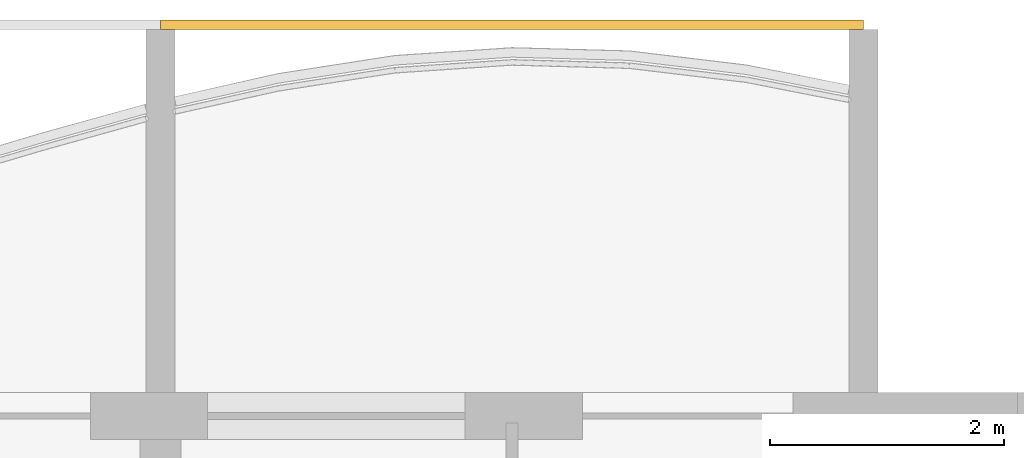
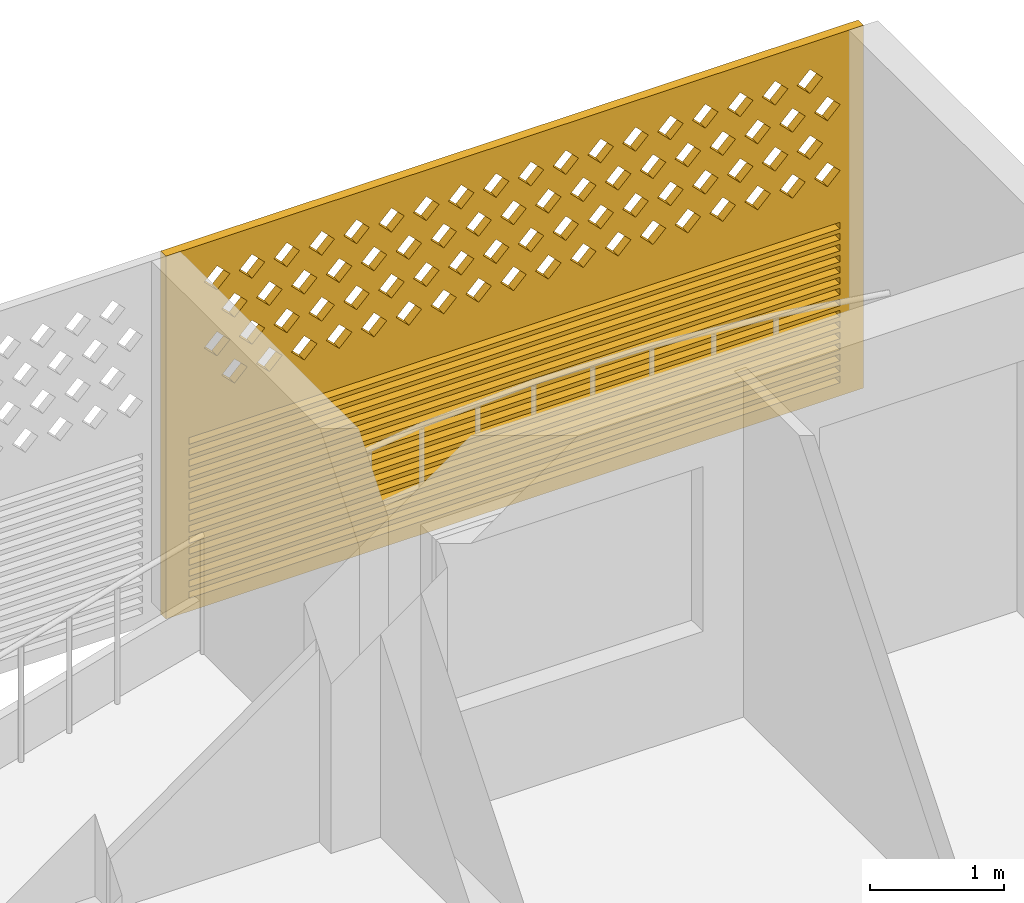
# One storey, part 30 of 30: 1 covering.
"""IFC4 building model written with IfcOpenShell, lengths in metres."""

from ifc_helpers import new_model, si_unit, direction, frame, origin, place, context, subcontext, project, spatial, polyline, outline, extrude, source, transform, mapped, material, material_profile, profile_set, type_object, element, save


model = new_model("IFC4")

# Units and contexts
model_context = context("Model", 3, precision=1e-05, world=origin(), true_north=direction((0.0, 1.0)))
body_context = subcontext(model_context, "Body", "Model", "MODEL_VIEW")
ifc_project = project(units=[si_unit("LENGTHUNIT", "METRE"), si_unit("AREAUNIT", "SQUARE_METRE"), si_unit("VOLUMEUNIT", "CUBIC_METRE"), si_unit("PLANEANGLEUNIT", "RADIAN"), si_unit("MASSUNIT", "GRAM", prefix="KILO")], contexts=[model_context])

# Site, building, storey
site_placement = place(None, origin())
site = spatial("IfcSite", under=ifc_project, at=site_placement, CompositionType="ELEMENT")
building_placement = place(site_placement, origin())
building = spatial("IfcBuilding", under=site, at=building_placement, Name="Poui Terraces", CompositionType="ELEMENT")
storey_placement = place(building_placement, frame((0.0, 0.0, 99.300048828125)))
storey = spatial("IfcBuildingStorey", under=building, at=storey_placement, Name="L27", CompositionType="ELEMENT", Elevation=99.300048828125)

# Covering
ifc_material = material(Name="Terracotta screen", Category="masonry")
ifc_material_profile = material_profile(ifc_material, outline(polyline([(-3.0, -1.64990234375), (3.0, -1.64990234375), (3.0, 1.64990234375), (-3.0, 1.64990234375), (-3.0, -1.64990234375)]), holes=[polyline([(-2.800048828125, 0.39990234375), (-2.68994140625, 0.2900390625), (-2.580078125, 0.39990234375), (-2.68994140625, 0.510009765625), (-2.800048828125, 0.39990234375)]), polyline([(-2.5, 0.39990234375), (-2.389892578125, 0.2900390625), (-2.280029296875, 0.39990234375), (-2.389892578125, 0.510009765625), (-2.5, 0.39990234375)]), polyline([(-2.199951171875, 0.39990234375), (-2.090087890625, 0.2900390625), (-1.97998046875, 0.39990234375), (-2.090087890625, 0.510009765625), (-2.199951171875, 0.39990234375)]), polyline([(-1.89990234375, 0.39990234375), (-1.7900390625, 0.2900390625), (-1.679931640625, 0.39990234375), (-1.7900390625, 0.510009765625), (-1.89990234375, 0.39990234375)]), polyline([(-1.60009765625, 0.39990234375), (-1.489990234375, 0.2900390625), (-1.3798828125, 0.39990234375), (-1.489990234375, 0.510009765625), (-1.60009765625, 0.39990234375)]), polyline([(-1.300048828125, 0.39990234375), (-1.18994140625, 0.2900390625), (-1.080078125, 0.39990234375), (-1.18994140625, 0.510009765625), (-1.300048828125, 0.39990234375)]), polyline([(-1.0, 0.39990234375), (-0.889892578125, 0.2900390625), (-0.780029296875, 0.39990234375), (-0.889892578125, 0.510009765625), (-1.0, 0.39990234375)]), polyline([(-0.699951171875, 0.39990234375), (-0.590087890625, 0.2900390625), (-0.47998046875, 0.39990234375), (-0.590087890625, 0.510009765625), (-0.699951171875, 0.39990234375)]), polyline([(-0.39990234375, 0.39990234375), (-0.2900390625, 0.2900390625), (-0.179931640625, 0.39990234375), (-0.2900390625, 0.510009765625), (-0.39990234375, 0.39990234375)]), polyline([(-0.10009765625, 0.39990234375), (0.010009765625, 0.2900390625), (0.1201171875, 0.39990234375), (0.010009765625, 0.510009765625), (-0.10009765625, 0.39990234375)]), polyline([(0.199951171875, 0.39990234375), (0.31005859375, 0.2900390625), (0.419921875, 0.39990234375), (0.31005859375, 0.510009765625), (0.199951171875, 0.39990234375)]), polyline([(0.5, 0.39990234375), (0.610107421875, 0.2900390625), (0.719970703125, 0.39990234375), (0.610107421875, 0.510009765625), (0.5, 0.39990234375)]), polyline([(0.800048828125, 0.39990234375), (0.909912109375, 0.2900390625), (1.02001953125, 0.39990234375), (0.909912109375, 0.510009765625), (0.800048828125, 0.39990234375)]), polyline([(1.10009765625, 0.39990234375), (1.2099609375, 0.2900390625), (1.320068359375, 0.39990234375), (1.2099609375, 0.510009765625), (1.10009765625, 0.39990234375)]), polyline([(1.39990234375, 0.39990234375), (1.510009765625, 0.2900390625), (1.6201171875, 0.39990234375), (1.510009765625, 0.510009765625), (1.39990234375, 0.39990234375)]), polyline([(1.699951171875, 0.39990234375), (1.81005859375, 0.2900390625), (1.919921875, 0.39990234375), (1.81005859375, 0.510009765625), (1.699951171875, 0.39990234375)]), polyline([(2.0, 0.39990234375), (2.110107421875, 0.2900390625), (2.219970703125, 0.39990234375), (2.110107421875, 0.510009765625), (2.0, 0.39990234375)]), polyline([(2.300048828125, 0.39990234375), (2.409912109375, 0.2900390625), (2.52001953125, 0.39990234375), (2.409912109375, 0.510009765625), (2.300048828125, 0.39990234375)]), polyline([(-2.64990234375, 0.699951171875), (-2.5400390625, 0.590087890625), (-2.429931640625, 0.699951171875), (-2.5400390625, 0.81005859375), (-2.64990234375, 0.699951171875)]), polyline([(-2.35009765625, 0.699951171875), (-2.239990234375, 0.590087890625), (-2.1298828125, 0.699951171875), (-2.239990234375, 0.81005859375), (-2.35009765625, 0.699951171875)]), polyline([(-2.050048828125, 0.699951171875), (-1.93994140625, 0.590087890625), (-1.830078125, 0.699951171875), (-1.93994140625, 0.81005859375), (-2.050048828125, 0.699951171875)]), polyline([(-1.75, 0.699951171875), (-1.639892578125, 0.590087890625), (-1.530029296875, 0.699951171875), (-1.639892578125, 0.81005859375), (-1.75, 0.699951171875)]), polyline([(-1.449951171875, 0.699951171875), (-1.340087890625, 0.590087890625), (-1.22998046875, 0.699951171875), (-1.340087890625, 0.81005859375), (-1.449951171875, 0.699951171875)]), polyline([(-1.14990234375, 0.699951171875), (-1.0400390625, 0.590087890625), (-0.929931640625, 0.699951171875), (-1.0400390625, 0.81005859375), (-1.14990234375, 0.699951171875)]), polyline([(-0.85009765625, 0.699951171875), (-0.739990234375, 0.590087890625), (-0.6298828125, 0.699951171875), (-0.739990234375, 0.81005859375), (-0.85009765625, 0.699951171875)]), polyline([(-0.550048828125, 0.699951171875), (-0.43994140625, 0.590087890625), (-0.330078125, 0.699951171875), (-0.43994140625, 0.81005859375), (-0.550048828125, 0.699951171875)]), polyline([(-0.25, 0.699951171875), (-0.139892578125, 0.590087890625), (-0.030029296875, 0.699951171875), (-0.139892578125, 0.81005859375), (-0.25, 0.699951171875)]), polyline([(0.050048828125, 0.699951171875), (0.159912109375, 0.590087890625), (0.27001953125, 0.699951171875), (0.159912109375, 0.81005859375), (0.050048828125, 0.699951171875)]), polyline([(0.35009765625, 0.699951171875), (0.4599609375, 0.590087890625), (0.570068359375, 0.699951171875), (0.4599609375, 0.81005859375), (0.35009765625, 0.699951171875)]), polyline([(0.64990234375, 0.699951171875), (0.760009765625, 0.590087890625), (0.8701171875, 0.699951171875), (0.760009765625, 0.81005859375), (0.64990234375, 0.699951171875)]), polyline([(0.949951171875, 0.699951171875), (1.06005859375, 0.590087890625), (1.169921875, 0.699951171875), (1.06005859375, 0.81005859375), (0.949951171875, 0.699951171875)]), polyline([(1.25, 0.699951171875), (1.360107421875, 0.590087890625), (1.469970703125, 0.699951171875), (1.360107421875, 0.81005859375), (1.25, 0.699951171875)]), polyline([(1.550048828125, 0.699951171875), (1.659912109375, 0.590087890625), (1.77001953125, 0.699951171875), (1.659912109375, 0.81005859375), (1.550048828125, 0.699951171875)]), polyline([(1.85009765625, 0.699951171875), (1.9599609375, 0.590087890625), (2.070068359375, 0.699951171875), (1.9599609375, 0.81005859375), (1.85009765625, 0.699951171875)]), polyline([(2.14990234375, 0.699951171875), (2.260009765625, 0.590087890625), (2.3701171875, 0.699951171875), (2.260009765625, 0.81005859375), (2.14990234375, 0.699951171875)]), polyline([(2.449951171875, 0.699951171875), (2.56005859375, 0.590087890625), (2.669921875, 0.699951171875), (2.56005859375, 0.81005859375), (2.449951171875, 0.699951171875)]), polyline([(-2.800048828125, 1.0), (-2.68994140625, 0.889892578125), (-2.580078125, 1.0), (-2.68994140625, 1.110107421875), (-2.800048828125, 1.0)]), polyline([(-2.5, 1.0), (-2.389892578125, 0.889892578125), (-2.280029296875, 1.0), (-2.389892578125, 1.110107421875), (-2.5, 1.0)]), polyline([(-2.199951171875, 1.0), (-2.090087890625, 0.889892578125), (-1.97998046875, 1.0), (-2.090087890625, 1.110107421875), (-2.199951171875, 1.0)]), polyline([(-1.89990234375, 1.0), (-1.7900390625, 0.889892578125), (-1.679931640625, 1.0), (-1.7900390625, 1.110107421875), (-1.89990234375, 1.0)]), polyline([(-1.60009765625, 1.0), (-1.489990234375, 0.889892578125), (-1.3798828125, 1.0), (-1.489990234375, 1.110107421875), (-1.60009765625, 1.0)]), polyline([(-1.300048828125, 1.0), (-1.18994140625, 0.889892578125), (-1.080078125, 1.0), (-1.18994140625, 1.110107421875), (-1.300048828125, 1.0)]), polyline([(-1.0, 1.0), (-0.889892578125, 0.889892578125), (-0.780029296875, 1.0), (-0.889892578125, 1.110107421875), (-1.0, 1.0)]), polyline([(-0.699951171875, 1.0), (-0.590087890625, 0.889892578125), (-0.47998046875, 1.0), (-0.590087890625, 1.110107421875), (-0.699951171875, 1.0)]), polyline([(-0.39990234375, 1.0), (-0.2900390625, 0.889892578125), (-0.179931640625, 1.0), (-0.2900390625, 1.110107421875), (-0.39990234375, 1.0)]), polyline([(-0.10009765625, 1.0), (0.010009765625, 0.889892578125), (0.1201171875, 1.0), (0.010009765625, 1.110107421875), (-0.10009765625, 1.0)]), polyline([(0.199951171875, 1.0), (0.31005859375, 0.889892578125), (0.419921875, 1.0), (0.31005859375, 1.110107421875), (0.199951171875, 1.0)]), polyline([(0.5, 1.0), (0.610107421875, 0.889892578125), (0.719970703125, 1.0), (0.610107421875, 1.110107421875), (0.5, 1.0)]), polyline([(0.800048828125, 1.0), (0.909912109375, 0.889892578125), (1.02001953125, 1.0), (0.909912109375, 1.110107421875), (0.800048828125, 1.0)]), polyline([(1.10009765625, 1.0), (1.2099609375, 0.889892578125), (1.320068359375, 1.0), (1.2099609375, 1.110107421875), (1.10009765625, 1.0)]), polyline([(1.39990234375, 1.0), (1.510009765625, 0.889892578125), (1.6201171875, 1.0), (1.510009765625, 1.110107421875), (1.39990234375, 1.0)]), polyline([(1.699951171875, 1.0), (1.81005859375, 0.889892578125), (1.919921875, 1.0), (1.81005859375, 1.110107421875), (1.699951171875, 1.0)]), polyline([(2.0, 1.0), (2.110107421875, 0.889892578125), (2.219970703125, 1.0), (2.110107421875, 1.110107421875), (2.0, 1.0)]), polyline([(2.300048828125, 1.0), (2.409912109375, 0.889892578125), (2.52001953125, 1.0), (2.409912109375, 1.110107421875), (2.300048828125, 1.0)]), polyline([(-2.64990234375, 1.300048828125), (-2.5400390625, 1.18994140625), (-2.429931640625, 1.300048828125), (-2.5400390625, 1.409912109375), (-2.64990234375, 1.300048828125)]), polyline([(-2.35009765625, 1.300048828125), (-2.239990234375, 1.18994140625), (-2.1298828125, 1.300048828125), (-2.239990234375, 1.409912109375), (-2.35009765625, 1.300048828125)]), polyline([(-2.050048828125, 1.300048828125), (-1.93994140625, 1.18994140625), (-1.830078125, 1.300048828125), (-1.93994140625, 1.409912109375), (-2.050048828125, 1.300048828125)]), polyline([(-1.75, 1.300048828125), (-1.639892578125, 1.18994140625), (-1.530029296875, 1.300048828125), (-1.639892578125, 1.409912109375), (-1.75, 1.300048828125)]), polyline([(-1.449951171875, 1.300048828125), (-1.340087890625, 1.18994140625), (-1.22998046875, 1.300048828125), (-1.340087890625, 1.409912109375), (-1.449951171875, 1.300048828125)]), polyline([(-1.14990234375, 1.300048828125), (-1.0400390625, 1.18994140625), (-0.929931640625, 1.300048828125), (-1.0400390625, 1.409912109375), (-1.14990234375, 1.300048828125)]), polyline([(-0.85009765625, 1.300048828125), (-0.739990234375, 1.18994140625), (-0.6298828125, 1.300048828125), (-0.739990234375, 1.409912109375), (-0.85009765625, 1.300048828125)]), polyline([(-0.550048828125, 1.300048828125), (-0.43994140625, 1.18994140625), (-0.330078125, 1.300048828125), (-0.43994140625, 1.409912109375), (-0.550048828125, 1.300048828125)]), polyline([(-0.25, 1.300048828125), (-0.139892578125, 1.18994140625), (-0.030029296875, 1.300048828125), (-0.139892578125, 1.409912109375), (-0.25, 1.300048828125)]), polyline([(0.050048828125, 1.300048828125), (0.159912109375, 1.18994140625), (0.27001953125, 1.300048828125), (0.159912109375, 1.409912109375), (0.050048828125, 1.300048828125)]), polyline([(0.35009765625, 1.300048828125), (0.4599609375, 1.18994140625), (0.570068359375, 1.300048828125), (0.4599609375, 1.409912109375), (0.35009765625, 1.300048828125)]), polyline([(0.64990234375, 1.300048828125), (0.760009765625, 1.18994140625), (0.8701171875, 1.300048828125), (0.760009765625, 1.409912109375), (0.64990234375, 1.300048828125)]), polyline([(0.949951171875, 1.300048828125), (1.06005859375, 1.18994140625), (1.169921875, 1.300048828125), (1.06005859375, 1.409912109375), (0.949951171875, 1.300048828125)]), polyline([(1.25, 1.300048828125), (1.360107421875, 1.18994140625), (1.469970703125, 1.300048828125), (1.360107421875, 1.409912109375), (1.25, 1.300048828125)]), polyline([(1.550048828125, 1.300048828125), (1.659912109375, 1.18994140625), (1.77001953125, 1.300048828125), (1.659912109375, 1.409912109375), (1.550048828125, 1.300048828125)]), polyline([(1.85009765625, 1.300048828125), (1.9599609375, 1.18994140625), (2.070068359375, 1.300048828125), (1.9599609375, 1.409912109375), (1.85009765625, 1.300048828125)]), polyline([(2.14990234375, 1.300048828125), (2.260009765625, 1.18994140625), (2.3701171875, 1.300048828125), (2.260009765625, 1.409912109375), (2.14990234375, 1.300048828125)]), polyline([(2.449951171875, 1.300048828125), (2.56005859375, 1.18994140625), (2.669921875, 1.300048828125), (2.56005859375, 1.409912109375), (2.449951171875, 1.300048828125)]), polyline([(-2.800048828125, -1.530029296875), (2.800048828125, -1.530029296875), (2.800048828125, -1.469970703125), (-2.800048828125, -1.469970703125), (-2.800048828125, -1.530029296875)]), polyline([(-2.800048828125, -1.429931640625), (2.800048828125, -1.429931640625), (2.800048828125, -1.3701171875), (-2.800048828125, -1.3701171875), (-2.800048828125, -1.429931640625)]), polyline([(-2.800048828125, -1.330078125), (2.800048828125, -1.330078125), (2.800048828125, -1.27001953125), (-2.800048828125, -1.27001953125), (-2.800048828125, -1.330078125)]), polyline([(-2.800048828125, -1.22998046875), (2.800048828125, -1.22998046875), (2.800048828125, -1.169921875), (-2.800048828125, -1.169921875), (-2.800048828125, -1.22998046875)]), polyline([(-2.800048828125, -1.1298828125), (2.800048828125, -1.1298828125), (2.800048828125, -1.070068359375), (-2.800048828125, -1.070068359375), (-2.800048828125, -1.1298828125)]), polyline([(-2.800048828125, -1.030029296875), (2.800048828125, -1.030029296875), (2.800048828125, -0.969970703125), (-2.800048828125, -0.969970703125), (-2.800048828125, -1.030029296875)]), polyline([(-2.800048828125, -0.929931640625), (2.800048828125, -0.929931640625), (2.800048828125, -0.8701171875), (-2.800048828125, -0.8701171875), (-2.800048828125, -0.929931640625)]), polyline([(-2.800048828125, -0.830078125), (2.800048828125, -0.830078125), (2.800048828125, -0.77001953125), (-2.800048828125, -0.77001953125), (-2.800048828125, -0.830078125)]), polyline([(-2.800048828125, -0.72998046875), (2.800048828125, -0.72998046875), (2.800048828125, -0.669921875), (-2.800048828125, -0.669921875), (-2.800048828125, -0.72998046875)]), polyline([(-2.800048828125, -0.6298828125), (2.800048828125, -0.6298828125), (2.800048828125, -0.570068359375), (-2.800048828125, -0.570068359375), (-2.800048828125, -0.6298828125)]), polyline([(-2.800048828125, -0.530029296875), (2.800048828125, -0.530029296875), (2.800048828125, -0.469970703125), (-2.800048828125, -0.469970703125), (-2.800048828125, -0.530029296875)]), polyline([(-2.800048828125, -0.429931640625), (2.800048828125, -0.429931640625), (2.800048828125, -0.3701171875), (-2.800048828125, -0.3701171875), (-2.800048828125, -0.429931640625)]), polyline([(-2.800048828125, -0.330078125), (2.800048828125, -0.330078125), (2.800048828125, -0.27001953125), (-2.800048828125, -0.27001953125), (-2.800048828125, -0.330078125)]), polyline([(-2.800048828125, -0.22998046875), (2.800048828125, -0.22998046875), (2.800048828125, -0.169921875), (-2.800048828125, -0.169921875), (-2.800048828125, -0.22998046875)]), polyline([(-2.800048828125, -0.1298828125), (2.800048828125, -0.1298828125), (2.800048828125, -0.070068359375), (-2.800048828125, -0.070068359375), (-2.800048828125, -0.1298828125)])]), Name="TERRACOTTA SCREEN AND JALOUSIE LOUVRE 6000X3300")
ifc_profile_set = profile_set([ifc_material_profile], Name="Terracotta screen")
covering_type = type_object("IfcCoveringType", Name="TERRACOTTA SCREEN AND JALOUSIE LOUVRE 6000X3300", PredefinedType="CLADDING", material=ifc_profile_set)
shared_shape = source(origin(), body_context, "Body", "SweptSolid", [
    extrude(outline(polyline([(-3.0, -1.64990234375), (3.0, -1.64990234375), (3.0, 1.64990234375), (-3.0, 1.64990234375), (-3.0, -1.64990234375)]), holes=[polyline([(-2.800048828125, 0.39990234375), (-2.68994140625, 0.2900390625), (-2.580078125, 0.39990234375), (-2.68994140625, 0.510009765625), (-2.800048828125, 0.39990234375)]), polyline([(-2.5, 0.39990234375), (-2.389892578125, 0.2900390625), (-2.280029296875, 0.39990234375), (-2.389892578125, 0.510009765625), (-2.5, 0.39990234375)]), polyline([(-2.199951171875, 0.39990234375), (-2.090087890625, 0.2900390625), (-1.97998046875, 0.39990234375), (-2.090087890625, 0.510009765625), (-2.199951171875, 0.39990234375)]), polyline([(-1.89990234375, 0.39990234375), (-1.7900390625, 0.2900390625), (-1.679931640625, 0.39990234375), (-1.7900390625, 0.510009765625), (-1.89990234375, 0.39990234375)]), polyline([(-1.60009765625, 0.39990234375), (-1.489990234375, 0.2900390625), (-1.3798828125, 0.39990234375), (-1.489990234375, 0.510009765625), (-1.60009765625, 0.39990234375)]), polyline([(-1.300048828125, 0.39990234375), (-1.18994140625, 0.2900390625), (-1.080078125, 0.39990234375), (-1.18994140625, 0.510009765625), (-1.300048828125, 0.39990234375)]), polyline([(-1.0, 0.39990234375), (-0.889892578125, 0.2900390625), (-0.780029296875, 0.39990234375), (-0.889892578125, 0.510009765625), (-1.0, 0.39990234375)]), polyline([(-0.699951171875, 0.39990234375), (-0.590087890625, 0.2900390625), (-0.47998046875, 0.39990234375), (-0.590087890625, 0.510009765625), (-0.699951171875, 0.39990234375)]), polyline([(-0.39990234375, 0.39990234375), (-0.2900390625, 0.2900390625), (-0.179931640625, 0.39990234375), (-0.2900390625, 0.510009765625), (-0.39990234375, 0.39990234375)]), polyline([(-0.10009765625, 0.39990234375), (0.010009765625, 0.2900390625), (0.1201171875, 0.39990234375), (0.010009765625, 0.510009765625), (-0.10009765625, 0.39990234375)]), polyline([(0.199951171875, 0.39990234375), (0.31005859375, 0.2900390625), (0.419921875, 0.39990234375), (0.31005859375, 0.510009765625), (0.199951171875, 0.39990234375)]), polyline([(0.5, 0.39990234375), (0.610107421875, 0.2900390625), (0.719970703125, 0.39990234375), (0.610107421875, 0.510009765625), (0.5, 0.39990234375)]), polyline([(0.800048828125, 0.39990234375), (0.909912109375, 0.2900390625), (1.02001953125, 0.39990234375), (0.909912109375, 0.510009765625), (0.800048828125, 0.39990234375)]), polyline([(1.10009765625, 0.39990234375), (1.2099609375, 0.2900390625), (1.320068359375, 0.39990234375), (1.2099609375, 0.510009765625), (1.10009765625, 0.39990234375)]), polyline([(1.39990234375, 0.39990234375), (1.510009765625, 0.2900390625), (1.6201171875, 0.39990234375), (1.510009765625, 0.510009765625), (1.39990234375, 0.39990234375)]), polyline([(1.699951171875, 0.39990234375), (1.81005859375, 0.2900390625), (1.919921875, 0.39990234375), (1.81005859375, 0.510009765625), (1.699951171875, 0.39990234375)]), polyline([(2.0, 0.39990234375), (2.110107421875, 0.2900390625), (2.219970703125, 0.39990234375), (2.110107421875, 0.510009765625), (2.0, 0.39990234375)]), polyline([(2.300048828125, 0.39990234375), (2.409912109375, 0.2900390625), (2.52001953125, 0.39990234375), (2.409912109375, 0.510009765625), (2.300048828125, 0.39990234375)]), polyline([(-2.64990234375, 0.699951171875), (-2.5400390625, 0.590087890625), (-2.429931640625, 0.699951171875), (-2.5400390625, 0.81005859375), (-2.64990234375, 0.699951171875)]), polyline([(-2.35009765625, 0.699951171875), (-2.239990234375, 0.590087890625), (-2.1298828125, 0.699951171875), (-2.239990234375, 0.81005859375), (-2.35009765625, 0.699951171875)]), polyline([(-2.050048828125, 0.699951171875), (-1.93994140625, 0.590087890625), (-1.830078125, 0.699951171875), (-1.93994140625, 0.81005859375), (-2.050048828125, 0.699951171875)]), polyline([(-1.75, 0.699951171875), (-1.639892578125, 0.590087890625), (-1.530029296875, 0.699951171875), (-1.639892578125, 0.81005859375), (-1.75, 0.699951171875)]), polyline([(-1.449951171875, 0.699951171875), (-1.340087890625, 0.590087890625), (-1.22998046875, 0.699951171875), (-1.340087890625, 0.81005859375), (-1.449951171875, 0.699951171875)]), polyline([(-1.14990234375, 0.699951171875), (-1.0400390625, 0.590087890625), (-0.929931640625, 0.699951171875), (-1.0400390625, 0.81005859375), (-1.14990234375, 0.699951171875)]), polyline([(-0.85009765625, 0.699951171875), (-0.739990234375, 0.590087890625), (-0.6298828125, 0.699951171875), (-0.739990234375, 0.81005859375), (-0.85009765625, 0.699951171875)]), polyline([(-0.550048828125, 0.699951171875), (-0.43994140625, 0.590087890625), (-0.330078125, 0.699951171875), (-0.43994140625, 0.81005859375), (-0.550048828125, 0.699951171875)]), polyline([(-0.25, 0.699951171875), (-0.139892578125, 0.590087890625), (-0.030029296875, 0.699951171875), (-0.139892578125, 0.81005859375), (-0.25, 0.699951171875)]), polyline([(0.050048828125, 0.699951171875), (0.159912109375, 0.590087890625), (0.27001953125, 0.699951171875), (0.159912109375, 0.81005859375), (0.050048828125, 0.699951171875)]), polyline([(0.35009765625, 0.699951171875), (0.4599609375, 0.590087890625), (0.570068359375, 0.699951171875), (0.4599609375, 0.81005859375), (0.35009765625, 0.699951171875)]), polyline([(0.64990234375, 0.699951171875), (0.760009765625, 0.590087890625), (0.8701171875, 0.699951171875), (0.760009765625, 0.81005859375), (0.64990234375, 0.699951171875)]), polyline([(0.949951171875, 0.699951171875), (1.06005859375, 0.590087890625), (1.169921875, 0.699951171875), (1.06005859375, 0.81005859375), (0.949951171875, 0.699951171875)]), polyline([(1.25, 0.699951171875), (1.360107421875, 0.590087890625), (1.469970703125, 0.699951171875), (1.360107421875, 0.81005859375), (1.25, 0.699951171875)]), polyline([(1.550048828125, 0.699951171875), (1.659912109375, 0.590087890625), (1.77001953125, 0.699951171875), (1.659912109375, 0.81005859375), (1.550048828125, 0.699951171875)]), polyline([(1.85009765625, 0.699951171875), (1.9599609375, 0.590087890625), (2.070068359375, 0.699951171875), (1.9599609375, 0.81005859375), (1.85009765625, 0.699951171875)]), polyline([(2.14990234375, 0.699951171875), (2.260009765625, 0.590087890625), (2.3701171875, 0.699951171875), (2.260009765625, 0.81005859375), (2.14990234375, 0.699951171875)]), polyline([(2.449951171875, 0.699951171875), (2.56005859375, 0.590087890625), (2.669921875, 0.699951171875), (2.56005859375, 0.81005859375), (2.449951171875, 0.699951171875)]), polyline([(-2.800048828125, 1.0), (-2.68994140625, 0.889892578125), (-2.580078125, 1.0), (-2.68994140625, 1.110107421875), (-2.800048828125, 1.0)]), polyline([(-2.5, 1.0), (-2.389892578125, 0.889892578125), (-2.280029296875, 1.0), (-2.389892578125, 1.110107421875), (-2.5, 1.0)]), polyline([(-2.199951171875, 1.0), (-2.090087890625, 0.889892578125), (-1.97998046875, 1.0), (-2.090087890625, 1.110107421875), (-2.199951171875, 1.0)]), polyline([(-1.89990234375, 1.0), (-1.7900390625, 0.889892578125), (-1.679931640625, 1.0), (-1.7900390625, 1.110107421875), (-1.89990234375, 1.0)]), polyline([(-1.60009765625, 1.0), (-1.489990234375, 0.889892578125), (-1.3798828125, 1.0), (-1.489990234375, 1.110107421875), (-1.60009765625, 1.0)]), polyline([(-1.300048828125, 1.0), (-1.18994140625, 0.889892578125), (-1.080078125, 1.0), (-1.18994140625, 1.110107421875), (-1.300048828125, 1.0)]), polyline([(-1.0, 1.0), (-0.889892578125, 0.889892578125), (-0.780029296875, 1.0), (-0.889892578125, 1.110107421875), (-1.0, 1.0)]), polyline([(-0.699951171875, 1.0), (-0.590087890625, 0.889892578125), (-0.47998046875, 1.0), (-0.590087890625, 1.110107421875), (-0.699951171875, 1.0)]), polyline([(-0.39990234375, 1.0), (-0.2900390625, 0.889892578125), (-0.179931640625, 1.0), (-0.2900390625, 1.110107421875), (-0.39990234375, 1.0)]), polyline([(-0.10009765625, 1.0), (0.010009765625, 0.889892578125), (0.1201171875, 1.0), (0.010009765625, 1.110107421875), (-0.10009765625, 1.0)]), polyline([(0.199951171875, 1.0), (0.31005859375, 0.889892578125), (0.419921875, 1.0), (0.31005859375, 1.110107421875), (0.199951171875, 1.0)]), polyline([(0.5, 1.0), (0.610107421875, 0.889892578125), (0.719970703125, 1.0), (0.610107421875, 1.110107421875), (0.5, 1.0)]), polyline([(0.800048828125, 1.0), (0.909912109375, 0.889892578125), (1.02001953125, 1.0), (0.909912109375, 1.110107421875), (0.800048828125, 1.0)]), polyline([(1.10009765625, 1.0), (1.2099609375, 0.889892578125), (1.320068359375, 1.0), (1.2099609375, 1.110107421875), (1.10009765625, 1.0)]), polyline([(1.39990234375, 1.0), (1.510009765625, 0.889892578125), (1.6201171875, 1.0), (1.510009765625, 1.110107421875), (1.39990234375, 1.0)]), polyline([(1.699951171875, 1.0), (1.81005859375, 0.889892578125), (1.919921875, 1.0), (1.81005859375, 1.110107421875), (1.699951171875, 1.0)]), polyline([(2.0, 1.0), (2.110107421875, 0.889892578125), (2.219970703125, 1.0), (2.110107421875, 1.110107421875), (2.0, 1.0)]), polyline([(2.300048828125, 1.0), (2.409912109375, 0.889892578125), (2.52001953125, 1.0), (2.409912109375, 1.110107421875), (2.300048828125, 1.0)]), polyline([(-2.64990234375, 1.300048828125), (-2.5400390625, 1.18994140625), (-2.429931640625, 1.300048828125), (-2.5400390625, 1.409912109375), (-2.64990234375, 1.300048828125)]), polyline([(-2.35009765625, 1.300048828125), (-2.239990234375, 1.18994140625), (-2.1298828125, 1.300048828125), (-2.239990234375, 1.409912109375), (-2.35009765625, 1.300048828125)]), polyline([(-2.050048828125, 1.300048828125), (-1.93994140625, 1.18994140625), (-1.830078125, 1.300048828125), (-1.93994140625, 1.409912109375), (-2.050048828125, 1.300048828125)]), polyline([(-1.75, 1.300048828125), (-1.639892578125, 1.18994140625), (-1.530029296875, 1.300048828125), (-1.639892578125, 1.409912109375), (-1.75, 1.300048828125)]), polyline([(-1.449951171875, 1.300048828125), (-1.340087890625, 1.18994140625), (-1.22998046875, 1.300048828125), (-1.340087890625, 1.409912109375), (-1.449951171875, 1.300048828125)]), polyline([(-1.14990234375, 1.300048828125), (-1.0400390625, 1.18994140625), (-0.929931640625, 1.300048828125), (-1.0400390625, 1.409912109375), (-1.14990234375, 1.300048828125)]), polyline([(-0.85009765625, 1.300048828125), (-0.739990234375, 1.18994140625), (-0.6298828125, 1.300048828125), (-0.739990234375, 1.409912109375), (-0.85009765625, 1.300048828125)]), polyline([(-0.550048828125, 1.300048828125), (-0.43994140625, 1.18994140625), (-0.330078125, 1.300048828125), (-0.43994140625, 1.409912109375), (-0.550048828125, 1.300048828125)]), polyline([(-0.25, 1.300048828125), (-0.139892578125, 1.18994140625), (-0.030029296875, 1.300048828125), (-0.139892578125, 1.409912109375), (-0.25, 1.300048828125)]), polyline([(0.050048828125, 1.300048828125), (0.159912109375, 1.18994140625), (0.27001953125, 1.300048828125), (0.159912109375, 1.409912109375), (0.050048828125, 1.300048828125)]), polyline([(0.35009765625, 1.300048828125), (0.4599609375, 1.18994140625), (0.570068359375, 1.300048828125), (0.4599609375, 1.409912109375), (0.35009765625, 1.300048828125)]), polyline([(0.64990234375, 1.300048828125), (0.760009765625, 1.18994140625), (0.8701171875, 1.300048828125), (0.760009765625, 1.409912109375), (0.64990234375, 1.300048828125)]), polyline([(0.949951171875, 1.300048828125), (1.06005859375, 1.18994140625), (1.169921875, 1.300048828125), (1.06005859375, 1.409912109375), (0.949951171875, 1.300048828125)]), polyline([(1.25, 1.300048828125), (1.360107421875, 1.18994140625), (1.469970703125, 1.300048828125), (1.360107421875, 1.409912109375), (1.25, 1.300048828125)]), polyline([(1.550048828125, 1.300048828125), (1.659912109375, 1.18994140625), (1.77001953125, 1.300048828125), (1.659912109375, 1.409912109375), (1.550048828125, 1.300048828125)]), polyline([(1.85009765625, 1.300048828125), (1.9599609375, 1.18994140625), (2.070068359375, 1.300048828125), (1.9599609375, 1.409912109375), (1.85009765625, 1.300048828125)]), polyline([(2.14990234375, 1.300048828125), (2.260009765625, 1.18994140625), (2.3701171875, 1.300048828125), (2.260009765625, 1.409912109375), (2.14990234375, 1.300048828125)]), polyline([(2.449951171875, 1.300048828125), (2.56005859375, 1.18994140625), (2.669921875, 1.300048828125), (2.56005859375, 1.409912109375), (2.449951171875, 1.300048828125)]), polyline([(-2.800048828125, -1.530029296875), (2.800048828125, -1.530029296875), (2.800048828125, -1.469970703125), (-2.800048828125, -1.469970703125), (-2.800048828125, -1.530029296875)]), polyline([(-2.800048828125, -1.429931640625), (2.800048828125, -1.429931640625), (2.800048828125, -1.3701171875), (-2.800048828125, -1.3701171875), (-2.800048828125, -1.429931640625)]), polyline([(-2.800048828125, -1.330078125), (2.800048828125, -1.330078125), (2.800048828125, -1.27001953125), (-2.800048828125, -1.27001953125), (-2.800048828125, -1.330078125)]), polyline([(-2.800048828125, -1.22998046875), (2.800048828125, -1.22998046875), (2.800048828125, -1.169921875), (-2.800048828125, -1.169921875), (-2.800048828125, -1.22998046875)]), polyline([(-2.800048828125, -1.1298828125), (2.800048828125, -1.1298828125), (2.800048828125, -1.070068359375), (-2.800048828125, -1.070068359375), (-2.800048828125, -1.1298828125)]), polyline([(-2.800048828125, -1.030029296875), (2.800048828125, -1.030029296875), (2.800048828125, -0.969970703125), (-2.800048828125, -0.969970703125), (-2.800048828125, -1.030029296875)]), polyline([(-2.800048828125, -0.929931640625), (2.800048828125, -0.929931640625), (2.800048828125, -0.8701171875), (-2.800048828125, -0.8701171875), (-2.800048828125, -0.929931640625)]), polyline([(-2.800048828125, -0.830078125), (2.800048828125, -0.830078125), (2.800048828125, -0.77001953125), (-2.800048828125, -0.77001953125), (-2.800048828125, -0.830078125)]), polyline([(-2.800048828125, -0.72998046875), (2.800048828125, -0.72998046875), (2.800048828125, -0.669921875), (-2.800048828125, -0.669921875), (-2.800048828125, -0.72998046875)]), polyline([(-2.800048828125, -0.6298828125), (2.800048828125, -0.6298828125), (2.800048828125, -0.570068359375), (-2.800048828125, -0.570068359375), (-2.800048828125, -0.6298828125)]), polyline([(-2.800048828125, -0.530029296875), (2.800048828125, -0.530029296875), (2.800048828125, -0.469970703125), (-2.800048828125, -0.469970703125), (-2.800048828125, -0.530029296875)]), polyline([(-2.800048828125, -0.429931640625), (2.800048828125, -0.429931640625), (2.800048828125, -0.3701171875), (-2.800048828125, -0.3701171875), (-2.800048828125, -0.429931640625)]), polyline([(-2.800048828125, -0.330078125), (2.800048828125, -0.330078125), (2.800048828125, -0.27001953125), (-2.800048828125, -0.27001953125), (-2.800048828125, -0.330078125)]), polyline([(-2.800048828125, -0.22998046875), (2.800048828125, -0.22998046875), (2.800048828125, -0.169921875), (-2.800048828125, -0.169921875), (-2.800048828125, -0.22998046875)]), polyline([(-2.800048828125, -0.1298828125), (2.800048828125, -0.1298828125), (2.800048828125, -0.070068359375), (-2.800048828125, -0.070068359375), (-2.800048828125, -0.1298828125)])]), origin(), (0.0, 0.0, 1.0), 0.080078125),
])
covering_placement = place(storey_placement, frame((87.0, 46.89990234375, 1.449951171875), z_axis=(0.0, 1.0, 0.0), x_axis=(-1.0, 0.0, 0.0)))
element("IfcCovering", 1, at=covering_placement, inside=storey, type_object=covering_type, Name="SOLAR SCREEN AND JALOUSIE LOUVRE", PredefinedType="CLADDING", context=body_context, shape_type="MappedRepresentation", body=[
    mapped(shared_shape, transform((0.0, 0.0, 0.0))),
])

save(model, "model.ifc")
